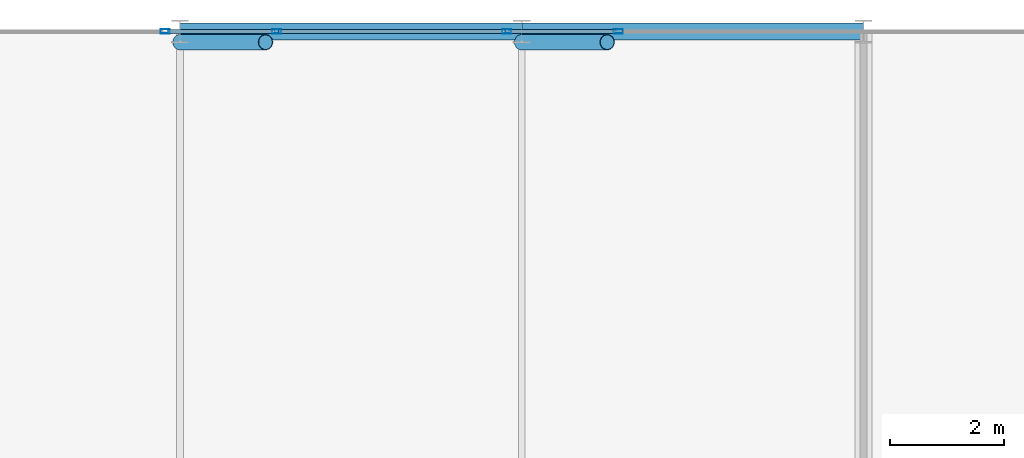
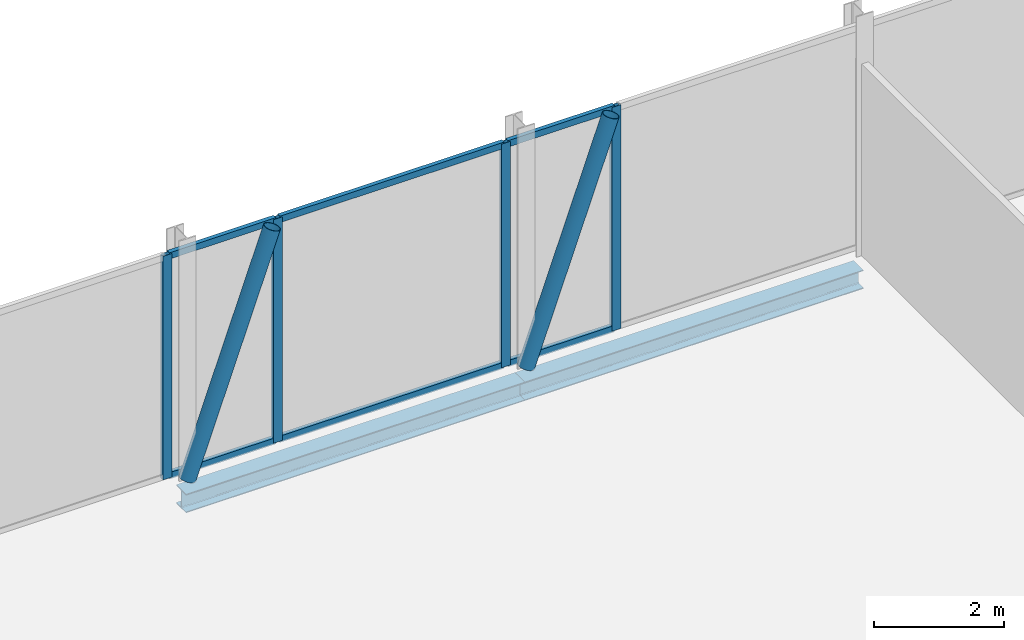
# One storey, part 16 of 24: 12 members, 2 beams, 4 elements without a shape of their own.
"""IFC4 building model written with IfcOpenShell, lengths in metres."""

from ifc_helpers import new_model, si_unit, direction, frame, origin, origin_2d, place, context, subcontext, project, spatial, hollow_rectangle, hollow_circle, i_section, extrude, material, layer, layer_set, material_profile, profile_set, type_object, element, aggregate, save


model = new_model("IFC4")

# Units and contexts
model_context = context("Model", 3, precision=1e-05, world=origin(), true_north=direction((0.0, 1.0)))
body_context = subcontext(model_context, "Body", "Model", "MODEL_VIEW")
ifc_project = project(units=[si_unit("LENGTHUNIT", "METRE"), si_unit("AREAUNIT", "SQUARE_METRE"), si_unit("VOLUMEUNIT", "CUBIC_METRE"), si_unit("PLANEANGLEUNIT", "RADIAN"), si_unit("MASSUNIT", "GRAM", prefix="KILO")], contexts=[model_context])

# Site, building, storey
site_placement = place(None, origin())
site = spatial("IfcSite", under=ifc_project, at=site_placement, CompositionType="ELEMENT")
building_placement = place(site_placement, origin())
building = spatial("IfcBuilding", under=site, at=building_placement, Name="Keshet Zoharim Tower", CompositionType="ELEMENT")
storey_placement = place(building_placement, frame((0.0, 0.0, 299.10009765625)))
storey = spatial("IfcBuildingStorey", under=building, at=storey_placement, Name="L75", CompositionType="ELEMENT", Elevation=299.10009765625)

# Beams
ifc_material_1 = material(Name="Steel S355", Category="steel")
ifc_material_profile_1 = material_profile(ifc_material_1, i_section(OverallWidth=0.300048828125, OverallDepth=0.35009765625, WebThickness=0.010009765625, FlangeThickness=0.017578125, FilletRadius=0.027099609375, at=origin_2d()), Name="HEA360")
ifc_profile_set_1 = profile_set([ifc_material_profile_1], Name="Steel S355")
beam_type = type_object("IfcBeamType", Name="BM-PRI-HA360", PredefinedType="BEAM", material=ifc_profile_set_1)
for number, where, z_axis, x_axis, name in (
    (1, (21.0, 53.89990234375, -0.4951171875), (1.0, 0.0, 0.0), (0.0, 1.0, 0.0), "L75 Primary Girder X-010"),
    (2, (27.0, 53.89990234375, -0.4951171875), (1.0, 0.0, 0.0), (0.0, 1.0, 0.0), "L75 Primary Girder X-011"),
):
    element("IfcBeam", number, at=place(storey_placement, frame(where, z_axis=z_axis, x_axis=x_axis)), inside=storey, type_object=beam_type, Name=name, PredefinedType="BEAM", context=body_context, shape_type="SweptSolid", body=[
        extrude(i_section(OverallWidth=0.300048828125, OverallDepth=0.35009765625, WebThickness=0.010009765625, FlangeThickness=0.017578125, FilletRadius=0.027099609375, at=origin_2d()), origin(), (0.0, 0.0, 1.0), 6.0),
    ])

# Curtain wall, member
ifc_material_2 = material(Name="Aluminium 6063-T6", Category="aluminium")
ifc_layer = layer(ifc_material_2, 0.260009765625)
ifc_layer_set = layer_set([ifc_layer], Name="Aluminium 6063-T6")
curtain_wall_type = type_object("IfcCurtainWallType", Name="CW-SYS-06", PredefinedType="NOTDEFINED", material=ifc_layer_set)
curtain_wall_1_placement = place(storey_placement, origin())
curtain_wall_1 = element("IfcCurtainWall", 3, at=curtain_wall_1_placement, inside=storey, type_object=curtain_wall_type, Name="L75 Unitised Curtain Wall 04", PredefinedType="NOTDEFINED")
ifc_material_profile_2 = material_profile(ifc_material_2, hollow_rectangle(XDim=0.074951171875, YDim=0.159912109375, WallThickness=0.00390625, at=origin_2d()), Name="MUL-75x160")
ifc_profile_set_2 = profile_set([ifc_material_profile_2], Name="Aluminium 6063-T6")
member_type_1 = type_object("IfcMemberType", Name="CWM-M15", PredefinedType="MULLION", material=ifc_profile_set_2)
member_1_placement = place(storey_placement, frame((20.736572265625, 53.89990234375, 0.0), z_axis=(0.0, 0.0, 1.0), x_axis=(0.0, 1.0, 0.0)))
member_1 = element("IfcMember", 4, at=member_1_placement, type_object=member_type_1, Name="CW-06 mullion 2", PredefinedType="MULLION", context=body_context, shape_type="SweptSolid", body=[
    extrude(hollow_rectangle(XDim=0.074951171875, YDim=0.159912109375, WallThickness=0.00390625, at=origin_2d()), origin(), (0.0, 0.0, 1.0), 4.18994140625),
])
aggregate(curtain_wall_1, [member_1])

curtain_wall_2_placement = place(storey_placement, origin())
curtain_wall_2 = element("IfcCurtainWall", 5, at=curtain_wall_2_placement, inside=storey, type_object=curtain_wall_type, Name="L75 Unitised Curtain Wall 04 Part 2", PredefinedType="NOTDEFINED")
member_2_placement = place(storey_placement, frame((22.693603515625, 53.89990234375, 0.0), z_axis=(0.0, 0.0, 1.0), x_axis=(0.0, 1.0, 0.0)))
member_2 = element("IfcMember", 6, at=member_2_placement, type_object=member_type_1, Name="CW-06 mullion 2", PredefinedType="MULLION", context=body_context, shape_type="SweptSolid", body=[
    extrude(hollow_rectangle(XDim=0.074951171875, YDim=0.159912109375, WallThickness=0.00390625, at=origin_2d()), origin(), (0.0, 0.0, 1.0), 4.18994140625),
])

curtain_wall_3_placement = place(storey_placement, origin())
curtain_wall_3 = element("IfcCurtainWall", 7, at=curtain_wall_3_placement, inside=storey, type_object=curtain_wall_type, Name="L75 Unitised Curtain Wall 04 Part 3", PredefinedType="NOTDEFINED")
member_3_placement = place(storey_placement, frame((26.736572265625, 53.89990234375, 0.0), z_axis=(0.0, 0.0, 1.0), x_axis=(0.0, 1.0, 0.0)))
member_3 = element("IfcMember", 8, at=member_3_placement, type_object=member_type_1, Name="CW-06 mullion 2", PredefinedType="MULLION", context=body_context, shape_type="SweptSolid", body=[
    extrude(hollow_rectangle(XDim=0.074951171875, YDim=0.159912109375, WallThickness=0.00390625, at=origin_2d()), origin(), (0.0, 0.0, 1.0), 4.18994140625),
])

curtain_wall_4_placement = place(storey_placement, origin())
curtain_wall_4 = element("IfcCurtainWall", 9, at=curtain_wall_4_placement, inside=storey, type_object=curtain_wall_type, Name="L75 Unitised Curtain Wall 04 Part 4", PredefinedType="NOTDEFINED")
member_4_placement = place(storey_placement, frame((28.693603515625, 53.89990234375, 0.0), z_axis=(0.0, 0.0, 1.0), x_axis=(0.0, 1.0, 0.0)))
member_4 = element("IfcMember", 10, at=member_4_placement, type_object=member_type_1, Name="CW-06 mullion 2", PredefinedType="MULLION", context=body_context, shape_type="SweptSolid", body=[
    extrude(hollow_rectangle(XDim=0.074951171875, YDim=0.159912109375, WallThickness=0.00390625, at=origin_2d()), origin(), (0.0, 0.0, 1.0), 4.18994140625),
])

# Member
ifc_material_profile_3 = material_profile(ifc_material_2, hollow_rectangle(XDim=0.074951171875, YDim=0.1201171875, WallThickness=0.00390625, at=origin_2d()), Name="TRN-75x120")
ifc_profile_set_3 = profile_set([ifc_material_profile_3], Name="Aluminium 6063-T6")
member_type_2 = type_object("IfcMemberType", Name="CWT-T12", PredefinedType="USERDEFINED", material=ifc_profile_set_3)
member_5_placement = place(storey_placement, frame((20.771484375, 53.89990234375, 0.034912109375), z_axis=(1.0, 0.0, 0.0), x_axis=(0.0, 1.0, 0.0)))
member_5 = element("IfcMember", 11, at=member_5_placement, type_object=member_type_2, Name="CW-06 transom 1.1", ObjectType="TRANSOM", PredefinedType="USERDEFINED", context=body_context, shape_type="SweptSolid", body=[
    extrude(hollow_rectangle(XDim=0.074951171875, YDim=0.1201171875, WallThickness=0.00390625, at=origin_2d()), origin(), (0.0, 0.0, 1.0), 1.886962890625),
])

member_6_placement = place(storey_placement, frame((20.771484375, 53.89990234375, 4.15478515625), z_axis=(1.0, 0.0, 0.0), x_axis=(0.0, 1.0, 0.0)))
member_6 = element("IfcMember", 12, at=member_6_placement, type_object=member_type_2, Name="CW-06 transom 1.2", ObjectType="TRANSOM", PredefinedType="USERDEFINED", context=body_context, shape_type="SweptSolid", body=[
    extrude(hollow_rectangle(XDim=0.074951171875, YDim=0.1201171875, WallThickness=0.00390625, at=origin_2d()), origin(), (0.0, 0.0, 1.0), 1.886962890625),
])

aggregate(curtain_wall_2, [member_2, member_5, member_6])

member_7_placement = place(storey_placement, frame((22.728515625, 53.89990234375, 0.034912109375), z_axis=(1.0, 0.0, 0.0), x_axis=(0.0, 1.0, 0.0)))
member_7 = element("IfcMember", 13, at=member_7_placement, type_object=member_type_2, Name="CW-06 transom 1.1", ObjectType="TRANSOM", PredefinedType="USERDEFINED", context=body_context, shape_type="SweptSolid", body=[
    extrude(hollow_rectangle(XDim=0.074951171875, YDim=0.1201171875, WallThickness=0.00390625, at=origin_2d()), origin(), (0.0, 0.0, 1.0), 3.972900390625),
])

member_8_placement = place(storey_placement, frame((22.728515625, 53.89990234375, 4.15478515625), z_axis=(1.0, 0.0, 0.0), x_axis=(0.0, 1.0, 0.0)))
member_8 = element("IfcMember", 14, at=member_8_placement, type_object=member_type_2, Name="CW-06 transom 1.2", ObjectType="TRANSOM", PredefinedType="USERDEFINED", context=body_context, shape_type="SweptSolid", body=[
    extrude(hollow_rectangle(XDim=0.074951171875, YDim=0.1201171875, WallThickness=0.00390625, at=origin_2d()), origin(), (0.0, 0.0, 1.0), 3.972900390625),
])

aggregate(curtain_wall_3, [member_3, member_7, member_8])

member_9_placement = place(storey_placement, frame((26.771484375, 53.89990234375, 0.034912109375), z_axis=(1.0, 0.0, 0.0), x_axis=(0.0, 1.0, 0.0)))
member_9 = element("IfcMember", 15, at=member_9_placement, type_object=member_type_2, Name="CW-06 transom 1.1", ObjectType="TRANSOM", PredefinedType="USERDEFINED", context=body_context, shape_type="SweptSolid", body=[
    extrude(hollow_rectangle(XDim=0.074951171875, YDim=0.1201171875, WallThickness=0.00390625, at=origin_2d()), origin(), (0.0, 0.0, 1.0), 1.886962890625),
])

member_10_placement = place(storey_placement, frame((26.771484375, 53.89990234375, 4.15478515625), z_axis=(1.0, 0.0, 0.0), x_axis=(0.0, 1.0, 0.0)))
member_10 = element("IfcMember", 16, at=member_10_placement, type_object=member_type_2, Name="CW-06 transom 1.2", ObjectType="TRANSOM", PredefinedType="USERDEFINED", context=body_context, shape_type="SweptSolid", body=[
    extrude(hollow_rectangle(XDim=0.074951171875, YDim=0.1201171875, WallThickness=0.00390625, at=origin_2d()), origin(), (0.0, 0.0, 1.0), 1.886962890625),
])

aggregate(curtain_wall_4, [member_4, member_9, member_10])

# Members
ifc_material_profile_4 = material_profile(ifc_material_1, hollow_circle(Radius=0.136474609375, WallThickness=0.010009765625, at=origin_2d()), Name="CHS273x10")
ifc_profile_set_4 = profile_set([ifc_material_profile_4], Name="Steel S355")
member_type_3 = type_object("IfcMemberType", Name="MB-BR-C273", PredefinedType="BRACE", material=ifc_profile_set_4)
for number, where, z_axis, x_axis, name in (
    (17, (21.0, 53.7099609375, 0.0), (0.337052194166, 0.0, 0.941485962937), (0.0, 1.0, 0.0), "L75 Perimeter Tube Brace 03"),
    (18, (27.0, 53.7099609375, 0.0), (0.337052194166, 0.0, 0.941485962937), (0.0, 1.0, 0.0), "L75 Perimeter Tube Brace 04"),
):
    element("IfcMember", number, at=place(storey_placement, frame(where, z_axis=z_axis, x_axis=x_axis)), inside=storey, type_object=member_type_3, Name=name, PredefinedType="BRACE", context=body_context, shape_type="SweptSolid", body=[
        extrude(hollow_circle(Radius=0.136474609375, WallThickness=0.010009765625, at=origin_2d()), origin(), (0.0, 0.0, 1.0), 4.450439453125),
    ])

save(model, "model.ifc")
